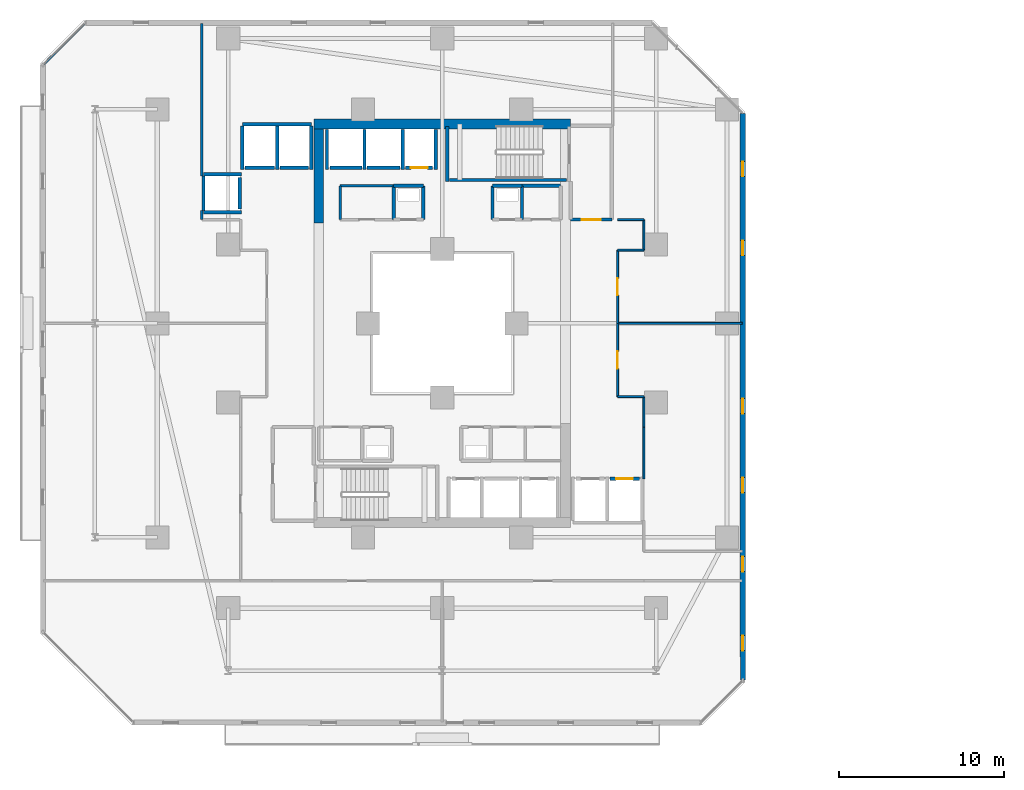
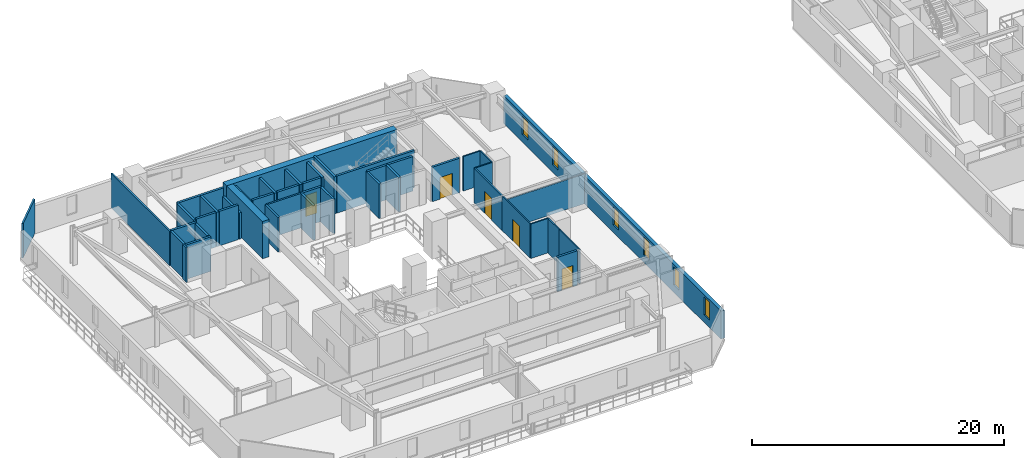
# One storey, part 20 of 33: 45 walls, 6 windows, 5 doors, 11 openings.
"""IFC4 building model written with IfcOpenShell, lengths in metres."""

from ifc_helpers import new_model, si_unit, direction, frame, frame_2d, origin, place, context, subcontext, project, spatial, rectangle, extrude, material, layer, layer_set, type_object, element, fill, save


model = new_model("IFC4")

# Units and contexts
model_context = context("Model", 3, precision=1e-05, world=origin(), true_north=direction((0.0, 1.0)))
body_context = subcontext(model_context, "Body", "Model", "MODEL_VIEW")
ifc_project = project(units=[si_unit("LENGTHUNIT", "METRE"), si_unit("AREAUNIT", "SQUARE_METRE"), si_unit("VOLUMEUNIT", "CUBIC_METRE"), si_unit("PLANEANGLEUNIT", "RADIAN"), si_unit("MASSUNIT", "GRAM", prefix="KILO")], contexts=[model_context])

# Site, building, storey
site_placement = place(None, origin())
site = spatial("IfcSite", under=ifc_project, at=site_placement, CompositionType="ELEMENT")
building_placement = place(site_placement, origin())
building = spatial("IfcBuilding", under=site, at=building_placement, Name="Thornwick Lancets Civic Towers", CompositionType="ELEMENT")
storey_placement = place(building_placement, frame((0.0, 0.0, 35.10009765625)))
storey = spatial("IfcBuildingStorey", under=building, at=storey_placement, Name="L08", CompositionType="ELEMENT", Elevation=35.10009765625)

# Wall, opening, door
ifc_material_1 = material(Name="Concrete blockwork C40/50", Category="masonry")
ifc_layer_1 = layer(ifc_material_1, 0.199951171875, Name="Concrete blockwork C40/50")
ifc_layer_set_1 = layer_set([ifc_layer_1], Name="Concrete blockwork C40/50")
wall_type_1 = type_object("IfcWallType", Name="WALL_COMP_200", PredefinedType="STANDARD", material=ifc_layer_set_1)
wall_1_placement = place(storey_placement, frame((35.679931640625, 17.550048828125, 0.0), z_axis=(0.0, 0.0, 1.0), x_axis=(1.0, 0.0, 0.0)))
wall_1 = element("IfcWall", 1, at=wall_1_placement, inside=storey, type_object=wall_type_1, Name="L08 Hoistway Front Wall PL-AL3", PredefinedType="STANDARD", context=body_context, shape_type="SweptSolid", body=[
    extrude(rectangle(XDim=1.7900390625, YDim=0.199951171875, at=frame_2d((0.89501953125, 0.0))), origin(), (0.0, 0.0, 1.0), 3.33984375),
])
opening_1_placement = place(wall_1_placement, frame((0.385009765625, 0.0, 0.0)))
opening_1 = element("IfcOpeningElement", 2, at=opening_1_placement, cuts=wall_1, Name="Opening LD-PL-AL3", PredefinedType="OPENING", context=body_context, shape_type="SweptSolid", body=[
    extrude(rectangle(XDim=1.02001953125, YDim=2.06005859375, at=frame_2d((0.510009765625, 1.030029296875))), frame((0.0, 0.10986328125, 0.0), z_axis=(0.0, -1.0, 0.0), x_axis=(1.0, 0.0, 0.0)), (0.0, 0.0, 1.0), 0.219970703125),
])
ifc_material_2 = material(Name="Brushed bronze stainless steel", Category="steel")
door_type_1 = type_object("IfcDoorType", Name="DOOR_LIFT_SLIDE", OperationType="SLIDING_TO_LEFT", PredefinedType="DOOR", material=ifc_material_2)
door_1_placement = place(opening_1_placement, origin())
door_1 = element("IfcDoor", 3, at=door_1_placement, inside=storey, type_object=door_type_1, Name="L08 Sliding Lift Landing Door LD-PL-AL3", OperationType="SLIDING_TO_LEFT", OverallHeight=2.06005859375, OverallWidth=1.02001953125, PredefinedType="DOOR", context=body_context, shape_type="SweptSolid", body=[
    extrude(rectangle(XDim=1.02001953125, YDim=2.06005859375, at=frame_2d((0.510009765625, 1.030029296875))), frame((0.0, 0.02490234375, 0.0), z_axis=(0.0, -1.0, 0.0), x_axis=(1.0, 0.0, 0.0)), (0.0, 0.0, 1.0), 0.050048828125),
])
fill(opening_1, door_1)

wall_2_placement = place(storey_placement, frame((24.919921875, 36.449951171875, 0.0), z_axis=(0.0, 0.0, 1.0), x_axis=(-1.0, 0.0, 0.0)))
wall_2 = element("IfcWall", 4, at=wall_2_placement, inside=storey, type_object=wall_type_1, Name="L08 Hoistway Front Wall FL-A2", PredefinedType="STANDARD", context=body_context, shape_type="SweptSolid", body=[
    extrude(rectangle(XDim=1.639892578125, YDim=0.199951171875, at=frame_2d((0.81982421875, 0.0))), origin(), (0.0, 0.0, 1.0), 3.33984375),
])
opening_2_placement = place(wall_2_placement, frame((0.31005859375, 0.0, 0.0)))
opening_2 = element("IfcOpeningElement", 5, at=opening_2_placement, cuts=wall_2, Name="Opening LD-FL-A2", PredefinedType="OPENING", context=body_context, shape_type="SweptSolid", body=[
    extrude(rectangle(XDim=1.02001953125, YDim=2.06005859375, at=frame_2d((0.510009765625, 1.030029296875))), frame((0.0, 0.10986328125, 0.0), z_axis=(0.0, -1.0, 0.0), x_axis=(1.0, 0.0, 0.0)), (0.0, 0.0, 1.0), 0.219970703125),
])
door_2_placement = place(opening_2_placement, origin())
door_2 = element("IfcDoor", 6, at=door_2_placement, inside=storey, type_object=door_type_1, Name="L08 Sliding Lift Landing Door LD-FL-A2", OperationType="SLIDING_TO_LEFT", OverallHeight=2.06005859375, OverallWidth=1.02001953125, PredefinedType="DOOR", context=body_context, shape_type="SweptSolid", body=[
    extrude(rectangle(XDim=1.02001953125, YDim=2.06005859375, at=frame_2d((0.510009765625, 1.030029296875))), frame((0.0, 0.02490234375, 0.0), z_axis=(0.0, -1.0, 0.0), x_axis=(1.0, 0.0, 0.0)), (0.0, 0.0, 1.0), 0.050048828125),
])
fill(opening_2, door_2)

# Walls
wall_3_placement = place(storey_placement, frame((22.919921875, 36.449951171875, 0.0), z_axis=(0.0, 0.0, 1.0), x_axis=(-1.0, 0.0, 0.0)))
element("IfcWall", 7, at=wall_3_placement, inside=storey, type_object=wall_type_1, Name="L08 Hoistway Front Wall PL-AH2", PredefinedType="STANDARD", context=body_context, shape_type="SweptSolid", body=[
    extrude(rectangle(XDim=1.989990234375, YDim=0.199951171875, at=frame_2d((0.9951171875, 0.0))), origin(), (0.0, 0.0, 1.0), 3.33984375),
])
wall_4_placement = place(storey_placement, frame((20.6201171875, 36.449951171875, 0.0), z_axis=(0.0, 0.0, 1.0), x_axis=(-1.0, 0.0, 0.0)))
element("IfcWall", 8, at=wall_4_placement, inside=storey, type_object=wall_type_1, Name="L08 Hoistway Front Wall PL-AH3", PredefinedType="STANDARD", context=body_context, shape_type="SweptSolid", body=[
    extrude(rectangle(XDim=1.940185546875, YDim=0.199951171875, at=frame_2d((0.97021484375, 0.0))), origin(), (0.0, 0.0, 1.0), 3.33984375),
])
wall_5_placement = place(storey_placement, frame((17.3701171875, 36.449951171875, 0.0), z_axis=(0.0, 0.0, 1.0), x_axis=(-1.0, 0.0, 0.0)))
element("IfcWall", 9, at=wall_5_placement, inside=storey, type_object=wall_type_1, Name="L08 Hoistway Front Wall PL-AM1", PredefinedType="STANDARD", context=body_context, shape_type="SweptSolid", body=[
    extrude(rectangle(XDim=1.740234375, YDim=0.199951171875, at=frame_2d((0.8701171875, 0.0))), origin(), (0.0, 0.0, 1.0), 3.33984375),
])
wall_6_placement = place(storey_placement, frame((15.320068359375, 36.449951171875, 0.0), z_axis=(0.0, 0.0, 1.0), x_axis=(-1.0, 0.0, 0.0)))
element("IfcWall", 10, at=wall_6_placement, inside=storey, type_object=wall_type_1, Name="L08 Hoistway Front Wall PL-AM2", PredefinedType="STANDARD", context=body_context, shape_type="SweptSolid", body=[
    extrude(rectangle(XDim=1.7900390625, YDim=0.199951171875, at=frame_2d((0.89501953125, 0.0))), origin(), (0.0, 0.0, 1.0), 3.33984375),
])
wall_7_placement = place(storey_placement, frame((13.199951171875, 33.929931640625, 0.0), z_axis=(0.0, 0.0, 1.0), x_axis=(0.0, 1.0, 0.0)))
element("IfcWall", 11, at=wall_7_placement, inside=storey, type_object=wall_type_1, Name="L08 Hoistway Front Wall PL-AM3", PredefinedType="STANDARD", context=body_context, shape_type="SweptSolid", body=[
    extrude(rectangle(XDim=1.940185546875, YDim=0.199951171875, at=frame_2d((0.97021484375, 0.0))), origin(), (0.0, 0.0, 1.0), 3.33984375),
])
for number, where, z_axis, x_axis, name in (
    (12, (25.10009765625, 36.35205078125, 0.0), (0.0, 0.0, 1.0), (0.0, 1.0, 0.0), "L08 Hoistway Shaft Wall FL-A2 E"),
    (13, (23.10009765625, 36.35205078125, 0.0), (0.0, 0.0, 1.0), (0.0, 1.0, 0.0), "L08 Hoistway Shaft Wall FL-A2 W"),
    (14, (20.77490234375, 36.35205078125, 0.0), (0.0, 0.0, 1.0), (0.0, 1.0, 0.0), "L08 Hoistway Shaft Wall PL-AH2 W"),
    (15, (18.5, 36.35205078125, 0.0), (0.0, 0.0, 1.0), (0.0, 1.0, 0.0), "L08 Hoistway Shaft Wall PL-AH3 W"),
):
    element("IfcWall", number, at=place(storey_placement, frame(where, z_axis=z_axis, x_axis=x_axis)), inside=storey, type_object=wall_type_1, Name=name, PredefinedType="STANDARD", context=body_context, shape_type="SweptSolid", body=[
        extrude(rectangle(XDim=2.43603515625, YDim=0.199951171875, at=frame_2d((1.218017578125, 0.0))), origin(), (0.0, 0.0, 1.0), 3.33984375),
    ])
wall_8_placement = place(storey_placement, frame((13.35205078125, 39.10009765625, 0.0), z_axis=(0.0, 0.0, 1.0), x_axis=(1.0, 0.0, 0.0)))
element("IfcWall", 16, at=wall_8_placement, inside=storey, type_object=wall_type_1, Name="L08 Hoistway Shaft Wall PL-AM1 N", PredefinedType="STANDARD", context=body_context, shape_type="SweptSolid", body=[
    extrude(rectangle(XDim=4.196044921875, YDim=0.199951171875, at=frame_2d((2.09814453125, 0.0))), origin(), (0.0, 0.0, 1.0), 3.33984375),
])
wall_9_placement = place(storey_placement, frame((17.550048828125, 36.35205078125, 0.0), z_axis=(0.0, 0.0, 1.0), x_axis=(0.0, 1.0, 0.0)))
element("IfcWall", 17, at=wall_9_placement, inside=storey, type_object=wall_type_1, Name="L08 Hoistway Shaft Wall PL-AM1 E", PredefinedType="STANDARD", context=body_context, shape_type="SweptSolid", body=[
    extrude(rectangle(XDim=2.635986328125, YDim=0.199951171875, at=frame_2d((1.31787109375, 0.0))), origin(), (0.0, 0.0, 1.0), 2.544921875),
])
for number, where, z_axis, x_axis, name in (
    (18, (15.47509765625, 36.35205078125, 0.0), (0.0, 0.0, 1.0), (0.0, 1.0, 0.0), "L08 Hoistway Shaft Wall PL-AM1 W"),
    (19, (13.35009765625, 36.35205078125, 0.0), (0.0, 0.0, 1.0), (0.0, 1.0, 0.0), "L08 Hoistway Shaft Wall PL-AM2 W"),
):
    element("IfcWall", number, at=place(storey_placement, frame(where, z_axis=z_axis, x_axis=x_axis)), inside=storey, type_object=wall_type_1, Name=name, PredefinedType="STANDARD", context=body_context, shape_type="SweptSolid", body=[
        extrude(rectangle(XDim=2.635986328125, YDim=0.199951171875, at=frame_2d((1.31787109375, 0.0))), origin(), (0.0, 0.0, 1.0), 3.33984375),
    ])
for number, where, z_axis, x_axis, name in (
    (20, (11.001953125, 36.050048828125, 0.0), (0.0, 0.0, 1.0), (1.0, 0.0, 0.0), "L08 Hoistway Shaft Wall PL-AM3 N"),
    (21, (11.001953125, 33.75, 0.0), (0.0, 0.0, 1.0), (1.0, 0.0, 0.0), "L08 Hoistway Shaft Wall PL-AM3 S"),
):
    element("IfcWall", number, at=place(storey_placement, frame(where, z_axis=z_axis, x_axis=x_axis)), inside=storey, type_object=wall_type_1, Name=name, PredefinedType="STANDARD", context=body_context, shape_type="SweptSolid", body=[
        extrude(rectangle(XDim=2.296142578125, YDim=0.199951171875, at=frame_2d((1.14794921875, 0.0))), origin(), (0.0, 0.0, 1.0), 3.33984375),
    ])
wall_10_placement = place(storey_placement, frame((11.0, 33.862060546875, 0.0), z_axis=(0.0, 0.0, 1.0), x_axis=(0.0, 1.0, 0.0)))
element("IfcWall", 22, at=wall_10_placement, inside=storey, type_object=wall_type_1, Name="L08 Hoistway Shaft Wall PL-AM3 W", PredefinedType="STANDARD", context=body_context, shape_type="SweptSolid", body=[
    extrude(rectangle(XDim=2.075927734375, YDim=0.199951171875, at=frame_2d((1.0380859375, 0.0))), origin(), (0.0, 0.0, 1.0), 3.33984375),
])

# Wall, opening, door
wall_11_placement = place(storey_placement, frame((33.300048828125, 33.300048828125, 0.0), z_axis=(0.0, 0.0, 1.0), x_axis=(1.0, 0.0, 0.0)))
wall_11 = element("IfcWall", 23, at=wall_11_placement, inside=storey, type_object=wall_type_1, Name="L08 Partition L08-A-FFLOB2 E1", PredefinedType="STANDARD", context=body_context, shape_type="SweptSolid", body=[
    extrude(rectangle(XDim=2.5, YDim=0.199951171875, at=frame_2d((1.25, 0.0))), origin(), (0.0, 0.0, 1.0), 3.33984375),
])
opening_3_placement = place(wall_11_placement, frame((0.675048828125, 0.0, 0.0)))
opening_3 = element("IfcOpeningElement", 24, at=opening_3_placement, cuts=wall_11, Name="Opening D-L08-0402", PredefinedType="OPENING", context=body_context, shape_type="SweptSolid", body=[
    extrude(rectangle(XDim=1.14990234375, YDim=2.10009765625, at=frame_2d((0.574951171875, 1.050048828125))), frame((0.0, 0.10986328125, 0.0), z_axis=(0.0, -1.0, 0.0), x_axis=(1.0, 0.0, 0.0)), (0.0, 0.0, 1.0), 0.219970703125),
])
ifc_material_3 = material(Name="Glazed fire-resisting steel", Category="steel")
door_type_2 = type_object("IfcDoorType", Name="DOOR_LOBBY_FD60", OperationType="NOTDEFINED", PredefinedType="DOOR", material=ifc_material_3)
door_3_placement = place(opening_3_placement, origin())
door_3 = element("IfcDoor", 25, at=door_3_placement, inside=storey, type_object=door_type_2, Name="L08 North Firefighting Lobby 2 Door", OperationType="SINGLE_SWING_LEFT", OverallHeight=2.10009765625, OverallWidth=1.14990234375, PredefinedType="DOOR", context=body_context, shape_type="SweptSolid", body=[
    extrude(rectangle(XDim=1.14990234375, YDim=2.10009765625, at=frame_2d((0.574951171875, 1.050048828125))), frame((0.0, 0.02490234375, 0.0), z_axis=(0.0, -1.0, 0.0), x_axis=(1.0, 0.0, 0.0)), (0.0, 0.0, 1.0), 0.050048828125),
])
fill(opening_3, door_3)

# Walls
wall_12_placement = place(storey_placement, frame((24.35009765625, 33.300048828125, 0.0), z_axis=(0.0, 0.0, 1.0), x_axis=(0.0, 1.0, 0.0)))
element("IfcWall", 26, at=wall_12_placement, inside=storey, type_object=wall_type_1, Name="L08 Partition L08-A-DUCT2 E2", PredefinedType="STANDARD", context=body_context, shape_type="SweptSolid", body=[
    extrude(rectangle(XDim=2.050048828125, YDim=0.199951171875, at=frame_2d((1.02490234375, 0.0))), origin(), (0.0, 0.0, 1.0), 3.33984375),
])
wall_13_placement = place(storey_placement, frame((24.35009765625, 35.35009765625, 0.0), z_axis=(0.0, 0.0, 1.0), x_axis=(-1.0, 0.0, 0.0)))
element("IfcWall", 27, at=wall_13_placement, inside=storey, type_object=wall_type_1, Name="L08 Partition L08-A-DUCT2 E3", PredefinedType="STANDARD", context=body_context, shape_type="SweptSolid", body=[
    extrude(rectangle(XDim=1.800048828125, YDim=0.199951171875, at=frame_2d((0.89990234375, 0.0))), origin(), (0.0, 0.0, 1.0), 3.33984375),
])
for number, where, z_axis, x_axis, name in (
    (28, (22.550048828125, 35.35009765625, 0.0), (0.0, 0.0, 1.0), (0.0, -1.0, 0.0), "L08 Partition L08-A-DUCT2 E4"),
    (29, (30.35009765625, 33.300048828125, 0.0), (0.0, 0.0, 1.0), (0.0, 1.0, 0.0), "L08 Partition L08-A-RISER2 E2"),
):
    element("IfcWall", number, at=place(storey_placement, frame(where, z_axis=z_axis, x_axis=x_axis)), inside=storey, type_object=wall_type_1, Name=name, PredefinedType="STANDARD", context=body_context, shape_type="SweptSolid", body=[
        extrude(rectangle(XDim=2.050048828125, YDim=0.199951171875, at=frame_2d((1.02490234375, 0.0))), origin(), (0.0, 0.0, 1.0), 3.33984375),
    ])
wall_14_placement = place(storey_placement, frame((30.35009765625, 35.35009765625, 0.0), z_axis=(0.0, 0.0, 1.0), x_axis=(-1.0, 0.0, 0.0)))
element("IfcWall", 30, at=wall_14_placement, inside=storey, type_object=wall_type_1, Name="L08 Partition L08-A-RISER2 E3", PredefinedType="STANDARD", context=body_context, shape_type="SweptSolid", body=[
    extrude(rectangle(XDim=1.800048828125, YDim=0.199951171875, at=frame_2d((0.89990234375, 0.0))), origin(), (0.0, 0.0, 1.0), 3.33984375),
])
wall_15_placement = place(storey_placement, frame((28.550048828125, 35.35009765625, 0.0), z_axis=(0.0, 0.0, 1.0), x_axis=(0.0, -1.0, 0.0)))
element("IfcWall", 31, at=wall_15_placement, inside=storey, type_object=wall_type_1, Name="L08 Partition L08-A-RISER2 E4", PredefinedType="STANDARD", context=body_context, shape_type="SweptSolid", body=[
    extrude(rectangle(XDim=2.050048828125, YDim=0.199951171875, at=frame_2d((1.02490234375, 0.0))), origin(), (0.0, 0.0, 1.0), 3.33984375),
])
wall_16_placement = place(storey_placement, frame((30.35009765625, 35.35009765625, 0.0), z_axis=(0.0, 0.0, 1.0), x_axis=(1.0, 0.0, 0.0)))
element("IfcWall", 32, at=wall_16_placement, inside=storey, type_object=wall_type_1, Name="L08 Partition L08-A-STR E4", PredefinedType="STANDARD", context=body_context, shape_type="SweptSolid", body=[
    extrude(rectangle(XDim=2.349853515625, YDim=0.199951171875, at=frame_2d((1.1748046875, 0.0))), origin(), (0.0, 0.0, 1.0), 3.33984375),
])
ifc_material_4 = material(Name="Concrete C60/75", Category="concrete")
ifc_layer_2 = layer(ifc_material_4, 0.60009765625, Name="Concrete C60/75")
ifc_layer_set_2 = layer_set([ifc_layer_2], Name="Concrete C60/75")
wall_type_2 = type_object("IfcWallType", Name="WALL_CORE_600", PredefinedType="SHEAR", material=ifc_layer_set_2)
wall_17_placement = place(storey_placement, frame((17.699951171875, 39.10009765625, 0.0), z_axis=(0.0, 0.0, 1.0), x_axis=(1.0, 0.0, 0.0)))
element("IfcWall", 33, at=wall_17_placement, inside=storey, type_object=wall_type_2, Name="L08 Split Core A2 Shear Wall N", PredefinedType="SHEAR", context=body_context, shape_type="SweptSolid", body=[
    extrude(rectangle(XDim=15.60009765625, YDim=0.60009765625, at=frame_2d((7.800048828125, 0.0))), origin(), (0.0, 0.0, 1.0), 3.599853515625),
])
wall_18_placement = place(storey_placement, frame((18.0, 33.10009765625, 0.0), z_axis=(0.0, 0.0, 1.0), x_axis=(0.0, 1.0, 0.0)))
element("IfcWall", 34, at=wall_18_placement, inside=storey, type_object=wall_type_2, Name="L08 Split Core A2 Shear Wall W", PredefinedType="SHEAR", context=body_context, shape_type="SweptSolid", body=[
    extrude(rectangle(XDim=5.699951171875, YDim=0.60009765625, at=frame_2d((2.85009765625, 0.0))), origin(), (0.0, 0.0, 1.0), 3.599853515625),
])

# Wall, openings, windows
ifc_material_5 = material(Name="Insulated buff terracotta rainscreen on concrete C40/50", Category="masonry")
ifc_layer_3 = layer(ifc_material_5, 0.320068359375, Name="Insulated buff terracotta rainscreen on concrete C40/50")
ifc_layer_set_3 = layer_set([ifc_layer_3], Name="Insulated buff terracotta rainscreen on concrete C40/50")
wall_type_3 = type_object("IfcWallType", Name="WALL_EXT_TERRA_320", PredefinedType="STANDARD", material=ifc_layer_set_3)
wall_19_placement = place(storey_placement, frame((43.764892578125, 5.31884765625, 0.0), z_axis=(0.0, 0.0, 1.0), x_axis=(-0.000276554545, 0.999999961759, 0.0)))
wall_19 = element("IfcWall", 35, at=wall_19_placement, inside=storey, type_object=wall_type_3, Name="L08 Tower A Terracotta Facade Wall E2", PredefinedType="STANDARD", context=body_context, shape_type="SweptSolid", body=[
    extrude(rectangle(XDim=34.428955078125, YDim=0.320068359375, at=frame_2d((17.21435546875, 0.0))), origin(), (0.0, 0.0, 1.0), 2.699951171875),
])
opening_4_placement = place(wall_19_placement, frame((1.800048828125, 0.0, 0.719970703125)))
opening_4 = element("IfcOpeningElement", 36, at=opening_4_placement, cuts=wall_19, Name="Opening WL-01", PredefinedType="OPENING", context=body_context, shape_type="SweptSolid", body=[
    extrude(rectangle(XDim=0.89990234375, YDim=1.75, at=frame_2d((0.449951171875, 0.875))), frame((0.0, 0.169921875, 0.0), z_axis=(0.0, -1.0, 0.0), x_axis=(1.0, 0.0, 0.0)), (0.0, 0.0, 1.0), 0.340087890625),
])
opening_5_placement = place(wall_19_placement, frame((6.60009765625, 0.0, 0.719970703125)))
opening_5 = element("IfcOpeningElement", 37, at=opening_5_placement, cuts=wall_19, Name="Opening WL-01", PredefinedType="OPENING", context=body_context, shape_type="SweptSolid", body=[
    extrude(rectangle(XDim=0.89990234375, YDim=1.75, at=frame_2d((0.449951171875, 0.875))), frame((0.0, 0.169921875, 0.0), z_axis=(0.0, -1.0, 0.0), x_axis=(1.0, 0.0, 0.0)), (0.0, 0.0, 1.0), 0.340087890625),
])
opening_6_placement = place(wall_19_placement, frame((11.39990234375, 0.0, 0.719970703125)))
opening_6 = element("IfcOpeningElement", 38, at=opening_6_placement, cuts=wall_19, Name="Opening WL-01", PredefinedType="OPENING", context=body_context, shape_type="SweptSolid", body=[
    extrude(rectangle(XDim=0.89990234375, YDim=1.75, at=frame_2d((0.449951171875, 0.875))), frame((0.0, 0.169921875, 0.0), z_axis=(0.0, -1.0, 0.0), x_axis=(1.0, 0.0, 0.0)), (0.0, 0.0, 1.0), 0.340087890625),
])
opening_7_placement = place(wall_19_placement, frame((16.199951171875, 0.0, 0.719970703125)))
opening_7 = element("IfcOpeningElement", 39, at=opening_7_placement, cuts=wall_19, Name="Opening WL-01", PredefinedType="OPENING", context=body_context, shape_type="SweptSolid", body=[
    extrude(rectangle(XDim=0.89990234375, YDim=1.75, at=frame_2d((0.449951171875, 0.875))), frame((0.0, 0.169921875, 0.0), z_axis=(0.0, -1.0, 0.0), x_axis=(1.0, 0.0, 0.0)), (0.0, 0.0, 1.0), 0.340087890625),
])
opening_8_placement = place(wall_19_placement, frame((25.800048828125, 0.0, 0.719970703125)))
opening_8 = element("IfcOpeningElement", 40, at=opening_8_placement, cuts=wall_19, Name="Opening WL-01", PredefinedType="OPENING", context=body_context, shape_type="SweptSolid", body=[
    extrude(rectangle(XDim=0.89990234375, YDim=1.75, at=frame_2d((0.449951171875, 0.875))), frame((0.0, 0.169921875, 0.0), z_axis=(0.0, -1.0, 0.0), x_axis=(1.0, 0.0, 0.0)), (0.0, 0.0, 1.0), 0.340087890625),
])
opening_9_placement = place(wall_19_placement, frame((30.60009765625, 0.0, 0.719970703125)))
opening_9 = element("IfcOpeningElement", 41, at=opening_9_placement, cuts=wall_19, Name="Opening WL-01", PredefinedType="OPENING", context=body_context, shape_type="SweptSolid", body=[
    extrude(rectangle(XDim=0.89990234375, YDim=1.75, at=frame_2d((0.449951171875, 0.875))), frame((0.0, 0.169921875, 0.0), z_axis=(0.0, -1.0, 0.0), x_axis=(1.0, 0.0, 0.0)), (0.0, 0.0, 1.0), 0.340087890625),
])
ifc_material_6 = material(Name="Clear low-e double glazing in bronze frame", Category="glass")
window_type = type_object("IfcWindowType", Name="WIN_LANCET_900", PartitioningType="SINGLE_PANEL", PredefinedType="WINDOW", material=ifc_material_6)
window_1_placement = place(opening_4_placement, origin())
window_1 = element("IfcWindow", 42, at=window_1_placement, inside=storey, type_object=window_type, Name="L08 Tower A Staggered Lancet Window E2-1", OverallHeight=1.75, OverallWidth=0.89990234375, PartitioningType="SINGLE_PANEL", PredefinedType="WINDOW", context=body_context, shape_type="SweptSolid", body=[
    extrude(rectangle(XDim=0.89990234375, YDim=1.75, at=frame_2d((0.449951171875, 0.875))), frame((0.0, 0.030029296875, 0.0), z_axis=(0.0, -1.0, 0.0), x_axis=(1.0, 0.0, 0.0)), (0.0, 0.0, 1.0), 0.06005859375),
])
fill(opening_4, window_1)
window_2_placement = place(opening_5_placement, origin())
window_2 = element("IfcWindow", 43, at=window_2_placement, inside=storey, type_object=window_type, Name="L08 Tower A Staggered Lancet Window E2-2", OverallHeight=1.75, OverallWidth=0.89990234375, PartitioningType="SINGLE_PANEL", PredefinedType="WINDOW", context=body_context, shape_type="SweptSolid", body=[
    extrude(rectangle(XDim=0.89990234375, YDim=1.75, at=frame_2d((0.449951171875, 0.875))), frame((0.0, 0.030029296875, 0.0), z_axis=(0.0, -1.0, 0.0), x_axis=(1.0, 0.0, 0.0)), (0.0, 0.0, 1.0), 0.06005859375),
])
fill(opening_5, window_2)
window_3_placement = place(opening_6_placement, origin())
window_3 = element("IfcWindow", 44, at=window_3_placement, inside=storey, type_object=window_type, Name="L08 Tower A Staggered Lancet Window E2-3", OverallHeight=1.75, OverallWidth=0.89990234375, PartitioningType="SINGLE_PANEL", PredefinedType="WINDOW", context=body_context, shape_type="SweptSolid", body=[
    extrude(rectangle(XDim=0.89990234375, YDim=1.75, at=frame_2d((0.449951171875, 0.875))), frame((0.0, 0.030029296875, 0.0), z_axis=(0.0, -1.0, 0.0), x_axis=(1.0, 0.0, 0.0)), (0.0, 0.0, 1.0), 0.06005859375),
])
fill(opening_6, window_3)
window_4_placement = place(opening_7_placement, origin())
window_4 = element("IfcWindow", 45, at=window_4_placement, inside=storey, type_object=window_type, Name="L08 Tower A Staggered Lancet Window E2-4", OverallHeight=1.75, OverallWidth=0.89990234375, PartitioningType="SINGLE_PANEL", PredefinedType="WINDOW", context=body_context, shape_type="SweptSolid", body=[
    extrude(rectangle(XDim=0.89990234375, YDim=1.75, at=frame_2d((0.449951171875, 0.875))), frame((0.0, 0.030029296875, 0.0), z_axis=(0.0, -1.0, 0.0), x_axis=(1.0, 0.0, 0.0)), (0.0, 0.0, 1.0), 0.06005859375),
])
fill(opening_7, window_4)
window_5_placement = place(opening_8_placement, origin())
window_5 = element("IfcWindow", 46, at=window_5_placement, inside=storey, type_object=window_type, Name="L08 Tower A Staggered Lancet Window E2-5", OverallHeight=1.75, OverallWidth=0.89990234375, PartitioningType="SINGLE_PANEL", PredefinedType="WINDOW", context=body_context, shape_type="SweptSolid", body=[
    extrude(rectangle(XDim=0.89990234375, YDim=1.75, at=frame_2d((0.449951171875, 0.875))), frame((0.0, 0.030029296875, 0.0), z_axis=(0.0, -1.0, 0.0), x_axis=(1.0, 0.0, 0.0)), (0.0, 0.0, 1.0), 0.06005859375),
])
fill(opening_8, window_5)
window_6_placement = place(opening_9_placement, origin())
window_6 = element("IfcWindow", 47, at=window_6_placement, inside=storey, type_object=window_type, Name="L08 Tower A Staggered Lancet Window E2-6", OverallHeight=1.75, OverallWidth=0.89990234375, PartitioningType="SINGLE_PANEL", PredefinedType="WINDOW", context=body_context, shape_type="SweptSolid", body=[
    extrude(rectangle(XDim=0.89990234375, YDim=1.75, at=frame_2d((0.449951171875, 0.875))), frame((0.0, 0.030029296875, 0.0), z_axis=(0.0, -1.0, 0.0), x_axis=(1.0, 0.0, 0.0)), (0.0, 0.0, 1.0), 0.06005859375),
])
fill(opening_9, window_6)

# Walls
ifc_material_7 = material(Name="Acoustic gypsum board partition")
ifc_layer_4 = layer(ifc_material_7, 0.1201171875, Name="Acoustic gypsum board partition")
ifc_layer_set_4 = layer_set([ifc_layer_4], Name="Acoustic gypsum board partition")
wall_type_4 = type_object("IfcWallType", Name="WALL_PART_120", PredefinedType="PARTITIONING", material=ifc_layer_set_4)
wall_20_placement = place(storey_placement, frame((37.75, 17.550048828125, 0.0), z_axis=(0.0, 0.0, 1.0), x_axis=(0.0, 1.0, 0.0)))
element("IfcWall", 48, at=wall_20_placement, inside=storey, type_object=wall_type_4, Name="L08 Partition L08-A-E1 E1", PredefinedType="PARTITIONING", context=body_context, shape_type="SweptSolid", body=[
    extrude(rectangle(XDim=3.14990234375, YDim=0.1201171875, at=frame_2d((1.574951171875, 0.0))), origin(), (0.0, 0.0, 1.0), 3.33984375),
])
wall_21_placement = place(storey_placement, frame((37.75, 20.699951171875, 0.0), z_axis=(0.0, 0.0, 1.0), x_axis=(0.0, 1.0, 0.0)))
element("IfcWall", 49, at=wall_21_placement, inside=storey, type_object=wall_type_4, Name="L08 Partition L08-A-E1 E2", PredefinedType="PARTITIONING", context=body_context, shape_type="SweptSolid", body=[
    extrude(rectangle(XDim=1.85009765625, YDim=0.1201171875, at=frame_2d((0.925048828125, 0.0))), origin(), (0.0, 0.0, 1.0), 3.33984375),
])
wall_22_placement = place(storey_placement, frame((37.75, 22.550048828125, 0.0), z_axis=(0.0, 0.0, 1.0), x_axis=(-1.0, 0.0, 0.0)))
element("IfcWall", 50, at=wall_22_placement, inside=storey, type_object=wall_type_4, Name="L08 Partition L08-A-E1 E3", PredefinedType="PARTITIONING", context=body_context, shape_type="SweptSolid", body=[
    extrude(rectangle(XDim=1.60009765625, YDim=0.1201171875, at=frame_2d((0.800048828125, 0.0))), origin(), (0.0, 0.0, 1.0), 3.33984375),
])

# Wall, opening, door
wall_23_placement = place(storey_placement, frame((36.14990234375, 22.550048828125, 0.0), z_axis=(0.0, 0.0, 1.0), x_axis=(0.0, 1.0, 0.0)))
wall_23 = element("IfcWall", 51, at=wall_23_placement, inside=storey, type_object=wall_type_4, Name="L08 Partition L08-A-E1 E4", PredefinedType="PARTITIONING", context=body_context, shape_type="SweptSolid", body=[
    extrude(rectangle(XDim=4.449951171875, YDim=0.1201171875, at=frame_2d((2.22509765625, 0.0))), origin(), (0.0, 0.0, 1.0), 3.33984375),
])
opening_10_placement = place(wall_23_placement, frame((1.699951171875, 0.0, 0.0)))
opening_10 = element("IfcOpeningElement", 52, at=opening_10_placement, cuts=wall_23, Name="Opening D-L08-0425", PredefinedType="OPENING", context=body_context, shape_type="SweptSolid", body=[
    extrude(rectangle(XDim=1.050048828125, YDim=2.10009765625, at=frame_2d((0.52490234375, 1.050048828125))), frame((0.0, 0.070068359375, 0.0), z_axis=(0.0, -1.0, 0.0), x_axis=(1.0, 0.0, 0.0)), (0.0, 0.0, 1.0), 0.14013671875),
])
ifc_material_8 = material(Name="Glazed European oak executive doorset")
door_type_3 = type_object("IfcDoorType", Name="DOOR_OFFICE_1050", OperationType="NOTDEFINED", PredefinedType="DOOR", material=ifc_material_8)
door_4_placement = place(opening_10_placement, origin())
door_4 = element("IfcDoor", 53, at=door_4_placement, inside=storey, type_object=door_type_3, Name="L08 Tower A Secretariat Open Office E1 Door", OperationType="SINGLE_SWING_RIGHT", OverallHeight=2.10009765625, OverallWidth=1.050048828125, PredefinedType="DOOR", context=body_context, shape_type="SweptSolid", body=[
    extrude(rectangle(XDim=1.050048828125, YDim=2.10009765625, at=frame_2d((0.52490234375, 1.050048828125))), frame((0.0, 0.02490234375, 0.0), z_axis=(0.0, -1.0, 0.0), x_axis=(1.0, 0.0, 0.0)), (0.0, 0.0, 1.0), 0.050048828125),
])
fill(opening_10, door_4)

# Walls
wall_24_placement = place(storey_placement, frame((36.14990234375, 27.0, 0.0), z_axis=(0.0, 0.0, 1.0), x_axis=(1.0, 0.0, 0.0)))
element("IfcWall", 54, at=wall_24_placement, inside=storey, type_object=wall_type_4, Name="L08 Partition L08-A-E1 E5", PredefinedType="PARTITIONING", context=body_context, shape_type="SweptSolid", body=[
    extrude(rectangle(XDim=7.570068359375, YDim=0.1201171875, at=frame_2d((3.78515625, 0.0))), origin(), (0.0, 0.0, 1.0), 2.877685546875),
])
wall_25_placement = place(storey_placement, frame((36.14990234375, 31.449951171875, 0.0), z_axis=(0.0, 0.0, 1.0), x_axis=(1.0, 0.0, 0.0)))
element("IfcWall", 55, at=wall_25_placement, inside=storey, type_object=wall_type_4, Name="L08 Partition L08-A-E2 E1", PredefinedType="PARTITIONING", context=body_context, shape_type="SweptSolid", body=[
    extrude(rectangle(XDim=1.60009765625, YDim=0.1201171875, at=frame_2d((0.800048828125, 0.0))), origin(), (0.0, 0.0, 1.0), 3.33984375),
])
wall_26_placement = place(storey_placement, frame((37.75, 31.449951171875, 0.0), z_axis=(0.0, 0.0, 1.0), x_axis=(0.0, 1.0, 0.0)))
element("IfcWall", 56, at=wall_26_placement, inside=storey, type_object=wall_type_4, Name="L08 Partition L08-A-E2 E2", PredefinedType="PARTITIONING", context=body_context, shape_type="SweptSolid", body=[
    extrude(rectangle(XDim=1.85009765625, YDim=0.1201171875, at=frame_2d((0.925048828125, 0.0))), origin(), (0.0, 0.0, 1.0), 3.33984375),
])
wall_27_placement = place(storey_placement, frame((37.75, 33.300048828125, 0.0), z_axis=(0.0, 0.0, 1.0), x_axis=(-1.0, 0.0, 0.0)))
element("IfcWall", 57, at=wall_27_placement, inside=storey, type_object=wall_type_4, Name="L08 Partition L08-A-E2 E3", PredefinedType="PARTITIONING", context=body_context, shape_type="SweptSolid", body=[
    extrude(rectangle(XDim=1.60009765625, YDim=0.1201171875, at=frame_2d((0.800048828125, 0.0))), origin(), (0.0, 0.0, 1.0), 3.33984375),
])

# Wall, opening, door
wall_28_placement = place(storey_placement, frame((36.14990234375, 27.0, 0.0), z_axis=(0.0, 0.0, 1.0), x_axis=(0.0, 1.0, 0.0)))
wall_28 = element("IfcWall", 58, at=wall_28_placement, inside=storey, type_object=wall_type_4, Name="L08 Partition L08-A-E2 E10", PredefinedType="PARTITIONING", context=body_context, shape_type="SweptSolid", body=[
    extrude(rectangle(XDim=4.449951171875, YDim=0.1201171875, at=frame_2d((2.22509765625, 0.0))), origin(), (0.0, 0.0, 1.0), 3.33984375),
])
opening_11_placement = place(wall_28_placement, frame((1.699951171875, 0.0, 0.0)))
opening_11 = element("IfcOpeningElement", 59, at=opening_11_placement, cuts=wall_28, Name="Opening D-L08-0426", PredefinedType="OPENING", context=body_context, shape_type="SweptSolid", body=[
    extrude(rectangle(XDim=1.050048828125, YDim=2.10009765625, at=frame_2d((0.52490234375, 1.050048828125))), frame((0.0, 0.070068359375, 0.0), z_axis=(0.0, -1.0, 0.0), x_axis=(1.0, 0.0, 0.0)), (0.0, 0.0, 1.0), 0.14013671875),
])
door_5_placement = place(opening_11_placement, origin())
door_5 = element("IfcDoor", 60, at=door_5_placement, inside=storey, type_object=door_type_3, Name="L08 Tower A Visitors Reception and Waiting Door", OperationType="SINGLE_SWING_LEFT", OverallHeight=2.10009765625, OverallWidth=1.050048828125, PredefinedType="DOOR", context=body_context, shape_type="SweptSolid", body=[
    extrude(rectangle(XDim=1.050048828125, YDim=2.10009765625, at=frame_2d((0.52490234375, 1.050048828125))), frame((0.0, 0.02490234375, 0.0), z_axis=(0.0, -1.0, 0.0), x_axis=(1.0, 0.0, 0.0)), (0.0, 0.0, 1.0), 0.050048828125),
])
fill(opening_11, door_5)

# Walls
ifc_material_9 = material(Name="Twin-stud acoustic gypsum board")
ifc_layer_5 = layer(ifc_material_9, 0.14990234375, Name="Twin-stud acoustic gypsum board")
ifc_layer_set_5 = layer_set([ifc_layer_5], Name="Twin-stud acoustic gypsum board")
wall_type_5 = type_object("IfcWallType", Name="WALL_PART_150", PredefinedType="PARTITIONING", material=ifc_layer_set_5)
wall_29_placement = place(storey_placement, frame((19.300048828125, 33.300048828125, 0.0), z_axis=(0.0, 0.0, 1.0), x_axis=(0.0, 1.0, 0.0)))
element("IfcWall", 61, at=wall_29_placement, inside=storey, type_object=wall_type_5, Name="L08 Partition L08-A-FWC E1", PredefinedType="PARTITIONING", context=body_context, shape_type="SweptSolid", body=[
    extrude(rectangle(XDim=2.050048828125, YDim=0.14990234375, at=frame_2d((1.02490234375, 0.0))), origin(), (0.0, 0.0, 1.0), 3.33984375),
])
wall_30_placement = place(storey_placement, frame((19.300048828125, 35.35009765625, 0.0), z_axis=(0.0, 0.0, 1.0), x_axis=(1.0, 0.0, 0.0)))
element("IfcWall", 62, at=wall_30_placement, inside=storey, type_object=wall_type_5, Name="L08 Partition L08-A-FWC E2", PredefinedType="PARTITIONING", context=body_context, shape_type="SweptSolid", body=[
    extrude(rectangle(XDim=3.25, YDim=0.14990234375, at=frame_2d((1.625, 0.0))), origin(), (0.0, 0.0, 1.0), 3.33984375),
])
wall_31_placement = place(storey_placement, frame((1.280029296875, 42.725341796875, 0.0), z_axis=(0.0, 0.0, 1.0), x_axis=(0.707106781187, 0.707106781187, 0.0)))
element("IfcWall", 63, at=wall_31_placement, inside=storey, type_object=wall_type_5, Name="L08 Partition L08-A-W2 E7", PredefinedType="PARTITIONING", context=body_context, shape_type="SweptSolid", body=[
    extrude(rectangle(XDim=3.52783203125, YDim=0.14990234375, at=frame_2d((1.763916015625, 0.0))), origin(), (0.0, 0.0, 1.0), 3.33984375),
])
wall_32_placement = place(storey_placement, frame((10.89990234375, 45.219970703125, 0.0), z_axis=(0.0, 0.0, 1.0), x_axis=(0.0, -1.0, 0.0)))
element("IfcWall", 64, at=wall_32_placement, inside=storey, type_object=wall_type_5, Name="L08 Partition L08-A-W2 E9", PredefinedType="PARTITIONING", context=body_context, shape_type="SweptSolid", body=[
    extrude(rectangle(XDim=9.281982421875, YDim=0.14990234375, at=frame_2d((4.64111328125, 0.0))), origin(), (0.0, 0.0, 1.0), 3.33984375),
])
wall_33_placement = place(storey_placement, frame((10.89990234375, 33.862060546875, 0.0), z_axis=(0.0, 0.0, 1.0), x_axis=(0.0, -1.0, 0.0)))
element("IfcWall", 65, at=wall_33_placement, inside=storey, type_object=wall_type_5, Name="L08 Partition L08-A-W2 E9", PredefinedType="PARTITIONING", context=body_context, shape_type="SweptSolid", body=[
    extrude(rectangle(XDim=0.56201171875, YDim=0.14990234375, at=frame_2d((0.281005859375, 0.0))), origin(), (0.0, 0.0, 1.0), 3.33984375),
])
ifc_material_10 = material(Name="Concrete C40/50", Category="concrete")
ifc_layer_6 = layer(ifc_material_10, 0.199951171875, Name="Concrete C40/50")
ifc_layer_set_6 = layer_set([ifc_layer_6], Name="Concrete C40/50")
wall_type_6 = type_object("IfcWallType", Name="WALL_SHAFT_200", PredefinedType="SHEAR", material=ifc_layer_set_6)
wall_34_placement = place(storey_placement, frame((25.800048828125, 35.60009765625, 0.0), z_axis=(0.0, 0.0, 1.0), x_axis=(0.0, 1.0, 0.0)))
element("IfcWall", 66, at=wall_34_placement, inside=storey, type_object=wall_type_6, Name="L08 ST-A2 Fire Stair Core Wall FAR", PredefinedType="SHEAR", context=body_context, shape_type="SweptSolid", body=[
    extrude(rectangle(XDim=3.349853515625, YDim=0.199951171875, at=frame_2d((1.6748046875, 0.0))), origin(), (0.0, 0.0, 1.0), 3.599853515625),
])
wall_35_placement = place(storey_placement, frame((25.949951171875, 35.702880859375, 0.0), z_axis=(0.0, 0.0, 1.0), x_axis=(1.0, 0.0, 0.0)))
element("IfcWall", 67, at=wall_35_placement, inside=storey, type_object=wall_type_6, Name="L08 ST-A2 Fire Stair Core Wall RIGHT", PredefinedType="SHEAR", context=body_context, shape_type="SweptSolid", body=[
    extrude(rectangle(XDim=7.10009765625, YDim=0.199951171875, at=frame_2d((3.550048828125, 0.0))), origin(), (0.0, 0.0, 1.0), 3.599853515625),
])

save(model, "model.ifc")
